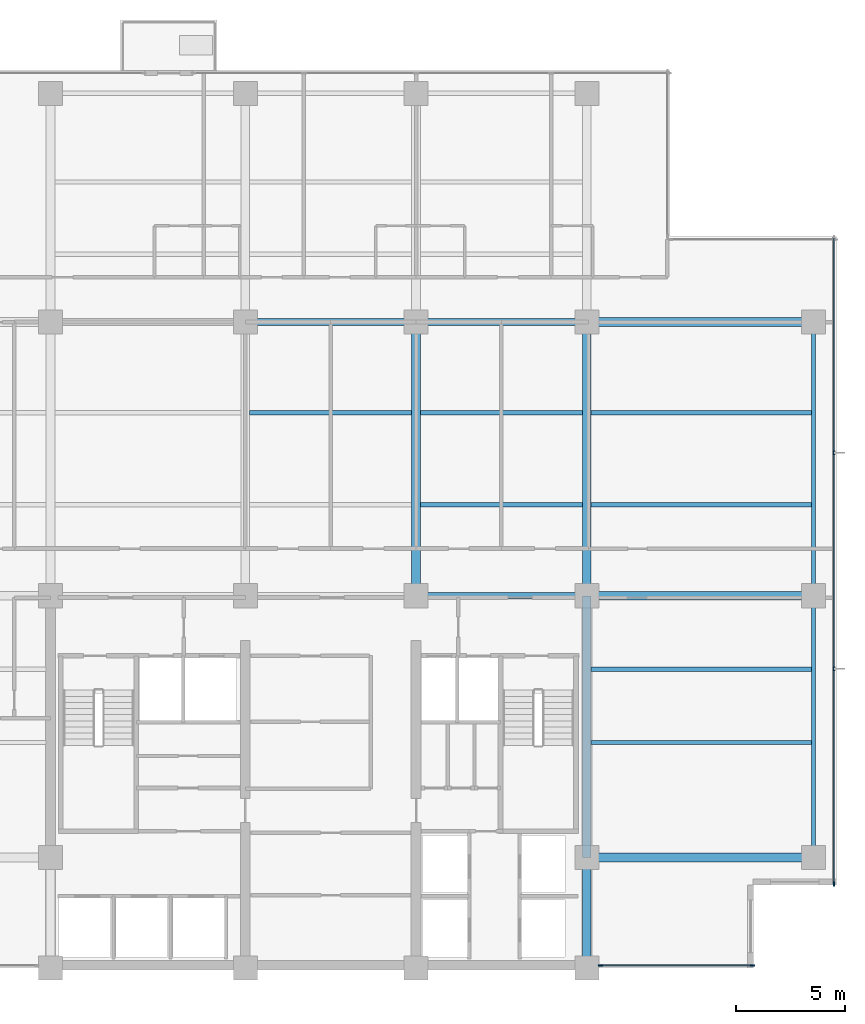
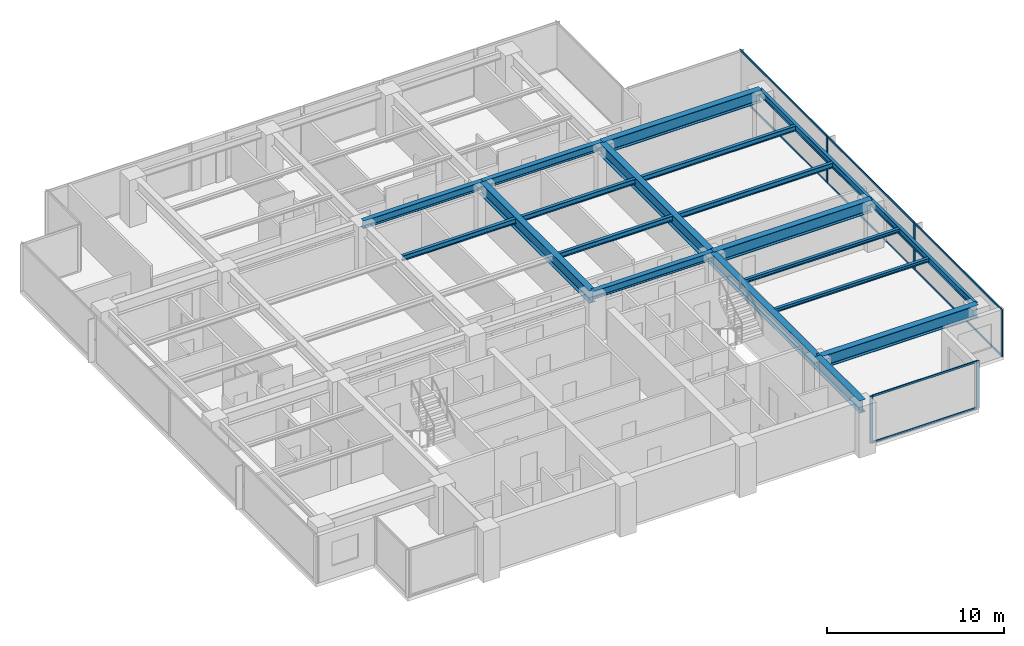
# One storey, part 3 of 14: 19 beams, 13 members, 2 elements without a shape of their own.
"""IFC4 building model written with IfcOpenShell, lengths in metres."""

from ifc_helpers import new_model, si_unit, direction, frame, origin, origin_2d, place, context, subcontext, project, spatial, rectangle, i_section, extrude, material, layer, layer_set, material_profile, profile_set, type_object, element, aggregate, save


model = new_model("IFC4")

# Units and contexts
model_context = context("Model", 3, precision=1e-05, world=origin(), true_north=direction((0.0, 1.0)))
body_context = subcontext(model_context, "Body", "Model", "MODEL_VIEW")
ifc_project = project(units=[si_unit("LENGTHUNIT", "METRE"), si_unit("AREAUNIT", "SQUARE_METRE"), si_unit("VOLUMEUNIT", "CUBIC_METRE"), si_unit("PLANEANGLEUNIT", "RADIAN"), si_unit("MASSUNIT", "GRAM", prefix="KILO")], contexts=[model_context])

# Site, building, storey
site_placement = place(None, origin())
site = spatial("IfcSite", under=ifc_project, at=site_placement, CompositionType="ELEMENT")
building_placement = place(site_placement, origin())
building = spatial("IfcBuilding", under=site, at=building_placement, Name="Qalmaran Belvedere Hotel", CompositionType="ELEMENT")
storey_placement = place(building_placement, frame((0.0, 0.0, 152.60009765625)))
storey = spatial("IfcBuildingStorey", under=building, at=storey_placement, Name="L38", CompositionType="ELEMENT", Elevation=152.60009765625)

# Beams
ifc_material_1 = material(Name="Steel S355JR", Category="steel")
ifc_material_profile_1 = material_profile(ifc_material_1, i_section(OverallWidth=0.201904296875, OverallDepth=0.2470703125, WebThickness=0.00732421875, FlangeThickness=0.010986328125, FilletRadius=0.011962890625, at=origin_2d()), Name="W250X49")
ifc_profile_set_1 = profile_set([ifc_material_profile_1], Name="Steel S355JR")
beam_type_1 = type_object("IfcBeamType", Name="BM-JST-W250X49", PredefinedType="JOIST", material=ifc_profile_set_1)
for number, where, z_axis, x_axis, name in (
    (1, (44.998046875, 13.800048828125, 3.12646484375), (1.0, 0.0, 0.0), (0.0, 1.0, 0.0), "L38 East Wing Joist 039"),
    (2, (44.998046875, 17.14990234375, 3.12646484375), (1.0, 0.0, 0.0), (0.0, 1.0, 0.0), "L38 East Wing Joist 041"),
):
    element("IfcBeam", number, at=place(storey_placement, frame(where, z_axis=z_axis, x_axis=x_axis)), inside=storey, type_object=beam_type_1, Name=name, PredefinedType="JOIST", context=body_context, shape_type="SweptSolid", body=[
        extrude(i_section(OverallWidth=0.201904296875, OverallDepth=0.2470703125, WebThickness=0.00732421875, FlangeThickness=0.010986328125, FilletRadius=0.011962890625, at=origin_2d()), origin(), (0.0, 0.0, 1.0), 10.057861328125),
    ])
ifc_material_profile_2 = material_profile(ifc_material_1, i_section(OverallWidth=0.39990234375, OverallDepth=0.85498046875, WebThickness=0.018310546875, FlangeThickness=0.029296875, FilletRadius=0.02392578125, at=origin_2d()), Name="W840X299")
ifc_profile_set_2 = profile_set([ifc_material_profile_2], Name="Steel S355JR")
beam_type_2 = type_object("IfcBeamType", Name="BM-PG3-W840X299", PredefinedType="USERDEFINED", material=ifc_profile_set_2)
for number, where, z_axis, x_axis, name in (
    (3, (37.0, 20.5, 2.822509765625), (0.0, 1.0, 0.0), (-1.0, 0.0, 0.0), "L38 Mid-Plate N-S Girder 18"),
    (4, (44.800048828125, 20.5, 2.822509765625), (0.0, 1.0, 0.0), (-1.0, 0.0, 0.0), "L38 Mid-Plate N-S Girder 20"),
):
    element("IfcBeam", number, at=place(storey_placement, frame(where, z_axis=z_axis, x_axis=x_axis)), inside=storey, type_object=beam_type_2, Name=name, ObjectType="GIRDER", PredefinedType="USERDEFINED", context=body_context, shape_type="SweptSolid", body=[
        extrude(i_section(OverallWidth=0.39990234375, OverallDepth=0.85498046875, WebThickness=0.018310546875, FlangeThickness=0.029296875, FilletRadius=0.02392578125, at=origin_2d()), origin(), (0.0, 0.0, 1.0), 12.5),
    ])
beam_1_placement = place(storey_placement, frame((44.800048828125, 3.5, 2.822509765625), z_axis=(0.0, 1.0, 0.0), x_axis=(-1.0, 0.0, 0.0)))
element("IfcBeam", 5, at=beam_1_placement, inside=storey, type_object=beam_type_2, Name="L38 East Core Edge Girder A", ObjectType="GIRDER", PredefinedType="USERDEFINED", context=body_context, shape_type="SweptSolid", body=[
    extrude(i_section(OverallWidth=0.39990234375, OverallDepth=0.85498046875, WebThickness=0.018310546875, FlangeThickness=0.029296875, FilletRadius=0.02392578125, at=origin_2d()), origin(), (0.0, 0.0, 1.0), 5.050048828125),
])
beam_2_placement = place(storey_placement, frame((44.800048828125, 8.550048828125, 2.822509765625), z_axis=(0.0, 1.0, 0.0), x_axis=(-1.0, 0.0, 0.0)))
element("IfcBeam", 6, at=beam_2_placement, inside=storey, type_object=beam_type_2, Name="L38 East Core Edge Girder B", ObjectType="GIRDER", PredefinedType="USERDEFINED", context=body_context, shape_type="SweptSolid", body=[
    extrude(i_section(OverallWidth=0.39990234375, OverallDepth=0.85498046875, WebThickness=0.018310546875, FlangeThickness=0.029296875, FilletRadius=0.02392578125, at=origin_2d()), origin(), (0.0, 0.0, 1.0), 11.949951171875),
])
for number, where, z_axis, x_axis, name in (
    (7, (44.800048828125, 8.550048828125, 2.822509765625), (1.0, 0.0, 0.0), (0.0, 1.0, 0.0), "L38 East Wing Girder 25"),
    (8, (44.800048828125, 20.5, 2.822509765625), (1.0, 0.0, 0.0), (0.0, 1.0, 0.0), "L38 East Wing Girder 26"),
    (9, (44.800048828125, 33.0, 2.822509765625), (1.0, 0.0, 0.0), (0.0, 1.0, 0.0), "L38 East Wing Girder 27"),
):
    element("IfcBeam", number, at=place(storey_placement, frame(where, z_axis=z_axis, x_axis=x_axis)), inside=storey, type_object=beam_type_2, Name=name, ObjectType="GIRDER", PredefinedType="USERDEFINED", context=body_context, shape_type="SweptSolid", body=[
        extrude(i_section(OverallWidth=0.39990234375, OverallDepth=0.85498046875, WebThickness=0.018310546875, FlangeThickness=0.029296875, FilletRadius=0.02392578125, at=origin_2d()), origin(), (0.0, 0.0, 1.0), 10.349853515625),
    ])
ifc_material_profile_3 = material_profile(ifc_material_1, i_section(OverallWidth=0.205078125, OverallDepth=0.35400390625, WebThickness=0.009521484375, FlangeThickness=0.016845703125, FilletRadius=0.014892578125, at=origin_2d()), Name="W360X79")
ifc_profile_set_3 = profile_set([ifc_material_profile_3], Name="Steel S355JR")
beam_type_3 = type_object("IfcBeamType", Name="BM-SB3-W360X79", PredefinedType="BEAM", material=ifc_profile_set_3)
beam_3_placement = place(storey_placement, frame((37.197998046875, 24.64990234375, 3.072998046875), z_axis=(1.0, 0.0, 0.0), x_axis=(0.0, 1.0, 0.0)))
element("IfcBeam", 10, at=beam_3_placement, inside=storey, type_object=beam_type_3, Name="L38 Secondary Floor Beam 031", PredefinedType="BEAM", context=body_context, shape_type="SweptSolid", body=[
    extrude(i_section(OverallWidth=0.205078125, OverallDepth=0.35400390625, WebThickness=0.009521484375, FlangeThickness=0.016845703125, FilletRadius=0.014892578125, at=origin_2d()), origin(), (0.0, 0.0, 1.0), 7.404052734375),
])
beam_4_placement = place(storey_placement, frame((44.998046875, 24.64990234375, 3.072998046875), z_axis=(1.0, 0.0, 0.0), x_axis=(0.0, 1.0, 0.0)))
element("IfcBeam", 11, at=beam_4_placement, inside=storey, type_object=beam_type_3, Name="L38 East Secondary Beam 032", PredefinedType="BEAM", context=body_context, shape_type="SweptSolid", body=[
    extrude(i_section(OverallWidth=0.205078125, OverallDepth=0.35400390625, WebThickness=0.009521484375, FlangeThickness=0.016845703125, FilletRadius=0.014892578125, at=origin_2d()), origin(), (0.0, 0.0, 1.0), 10.057861328125),
])
for number, where, z_axis, x_axis, name in (
    (12, (29.39794921875, 28.85009765625, 3.072998046875), (1.0, 0.0, 0.0), (0.0, 1.0, 0.0), "L38 Secondary Floor Beam 035"),
    (13, (37.197998046875, 28.85009765625, 3.072998046875), (1.0, 0.0, 0.0), (0.0, 1.0, 0.0), "L38 Secondary Floor Beam 036"),
):
    element("IfcBeam", number, at=place(storey_placement, frame(where, z_axis=z_axis, x_axis=x_axis)), inside=storey, type_object=beam_type_3, Name=name, PredefinedType="BEAM", context=body_context, shape_type="SweptSolid", body=[
        extrude(i_section(OverallWidth=0.205078125, OverallDepth=0.35400390625, WebThickness=0.009521484375, FlangeThickness=0.016845703125, FilletRadius=0.014892578125, at=origin_2d()), origin(), (0.0, 0.0, 1.0), 7.404052734375),
    ])
beam_5_placement = place(storey_placement, frame((44.998046875, 28.85009765625, 3.072998046875), z_axis=(1.0, 0.0, 0.0), x_axis=(0.0, 1.0, 0.0)))
element("IfcBeam", 14, at=beam_5_placement, inside=storey, type_object=beam_type_3, Name="L38 East Secondary Beam 037", PredefinedType="BEAM", context=body_context, shape_type="SweptSolid", body=[
    extrude(i_section(OverallWidth=0.205078125, OverallDepth=0.35400390625, WebThickness=0.009521484375, FlangeThickness=0.016845703125, FilletRadius=0.014892578125, at=origin_2d()), origin(), (0.0, 0.0, 1.0), 10.057861328125),
])
ifc_material_profile_4 = material_profile(ifc_material_1, i_section(OverallWidth=0.19189453125, OverallDepth=0.462890625, WebThickness=0.010498046875, FlangeThickness=0.017578125, FilletRadius=0.01611328125, at=origin_2d()), Name="W460X89")
ifc_profile_set_4 = profile_set([ifc_material_profile_4], Name="Steel S355JR")
beam_type_4 = type_object("IfcBeamType", Name="BM-SP2-W460X89", PredefinedType="SPANDREL", material=ifc_profile_set_4)
beam_6_placement = place(storey_placement, frame((55.14990234375, 8.550048828125, 3.018310546875), z_axis=(0.0, 1.0, 0.0), x_axis=(-1.0, 0.0, 0.0)))
element("IfcBeam", 15, at=beam_6_placement, inside=storey, type_object=beam_type_4, Name="L38 Perimeter Spandrel 03", PredefinedType="SPANDREL", context=body_context, shape_type="SweptSolid", body=[
    extrude(i_section(OverallWidth=0.19189453125, OverallDepth=0.462890625, WebThickness=0.010498046875, FlangeThickness=0.017578125, FilletRadius=0.01611328125, at=origin_2d()), origin(), (0.0, 0.0, 1.0), 11.949951171875),
])
beam_7_placement = place(storey_placement, frame((55.14990234375, 20.5, 3.018310546875), z_axis=(0.0, 1.0, 0.0), x_axis=(-1.0, 0.0, 0.0)))
element("IfcBeam", 16, at=beam_7_placement, inside=storey, type_object=beam_type_4, Name="L38 Perimeter Spandrel 04", PredefinedType="SPANDREL", context=body_context, shape_type="SweptSolid", body=[
    extrude(i_section(OverallWidth=0.19189453125, OverallDepth=0.462890625, WebThickness=0.010498046875, FlangeThickness=0.017578125, FilletRadius=0.01611328125, at=origin_2d()), origin(), (0.0, 0.0, 1.0), 12.5),
])
ifc_material_profile_5 = material_profile(ifc_material_1, i_section(OverallWidth=0.31201171875, OverallDepth=0.54296875, WebThickness=0.0126953125, FlangeThickness=0.020263671875, FilletRadius=0.01806640625, at=origin_2d()), Name="W530X150")
ifc_profile_set_5 = profile_set([ifc_material_profile_5], Name="Steel S355JR")
beam_type_5 = type_object("IfcBeamType", Name="BM-Z3-W530X150", PredefinedType="USERDEFINED", material=ifc_profile_set_5)
for number, where, z_axis, x_axis, name in (
    (17, (37.0, 20.5, 2.978515625), (1.0, 0.0, 0.0), (0.0, 1.0, 0.0), "L38 Interior E-W Girder 10"),
    (18, (29.199951171875, 33.0, 2.978515625), (1.0, 0.0, 0.0), (0.0, 1.0, 0.0), "L38 Interior E-W Girder 12"),
    (19, (37.0, 33.0, 2.978515625), (1.0, 0.0, 0.0), (0.0, 1.0, 0.0), "L38 Interior E-W Girder 13"),
):
    element("IfcBeam", number, at=place(storey_placement, frame(where, z_axis=z_axis, x_axis=x_axis)), inside=storey, type_object=beam_type_5, Name=name, ObjectType="GIRDER", PredefinedType="USERDEFINED", context=body_context, shape_type="SweptSolid", body=[
        extrude(i_section(OverallWidth=0.31201171875, OverallDepth=0.54296875, WebThickness=0.0126953125, FlangeThickness=0.020263671875, FilletRadius=0.01806640625, at=origin_2d()), origin(), (0.0, 0.0, 1.0), 7.800048828125),
    ])

# Curtain wall, members
ifc_material_2 = material(Name="Anodised Bronze Aluminium", Category="aluminium")
ifc_layer = layer(ifc_material_2, 0.195068359375, Name="Anodised Bronze Aluminium")
ifc_layer_set = layer_set([ifc_layer], Name="Anodised Bronze Aluminium")
curtain_wall_type = type_object("IfcCurtainWallType", Name="CW4-TOWER-HIGHMID", PredefinedType="NOTDEFINED", material=ifc_layer_set)
curtain_wall_1_placement = place(storey_placement, origin())
curtain_wall_1 = element("IfcCurtainWall", 20, at=curtain_wall_1_placement, inside=storey, type_object=curtain_wall_type, Name="L38 Curtain Wall CW4", PredefinedType="NOTDEFINED")
ifc_material_profile_6 = material_profile(ifc_material_2, rectangle(XDim=0.070068359375, YDim=0.18994140625, at=origin_2d()), Name="CWM70X190")
ifc_profile_set_6 = profile_set([ifc_material_profile_6], Name="Anodised Bronze Aluminium")
member_type_1 = type_object("IfcMemberType", Name="CWM-70X190", PredefinedType="MULLION", material=ifc_profile_set_6)
member_1_placement = place(storey_placement, frame((45.425048828125, 3.6201171875, 0.0), z_axis=(0.0, 0.0, 1.0), x_axis=(0.0, 1.0, 0.0)))
member_1 = element("IfcMember", 21, at=member_1_placement, type_object=member_type_1, Name="CW4 mullion 1", PredefinedType="MULLION", context=body_context, shape_type="SweptSolid", body=[
    extrude(rectangle(XDim=0.070068359375, YDim=0.18994140625, at=origin_2d()), origin(), (0.0, 0.0, 1.0), 3.25),
])
member_2_placement = place(storey_placement, frame((52.364990234375, 3.6201171875, 0.0), z_axis=(0.0, 0.0, 1.0), x_axis=(0.0, 1.0, 0.0)))
member_2 = element("IfcMember", 22, at=member_2_placement, type_object=member_type_1, Name="CW4 mullion 2", PredefinedType="MULLION", context=body_context, shape_type="SweptSolid", body=[
    extrude(rectangle(XDim=0.070068359375, YDim=0.18994140625, at=origin_2d()), origin(), (0.0, 0.0, 1.0), 3.25),
])

curtain_wall_2_placement = place(storey_placement, origin())
curtain_wall_2 = element("IfcCurtainWall", 23, at=curtain_wall_2_placement, inside=storey, type_object=curtain_wall_type, Name="L38 Curtain Wall CW4", PredefinedType="NOTDEFINED")
member_3_placement = place(storey_placement, frame((56.080078125, 7.3349609375, 0.0), z_axis=(0.0, 0.0, 1.0), x_axis=(-1.0, 0.0, 0.0)))
member_3 = element("IfcMember", 24, at=member_3_placement, type_object=member_type_1, Name="CW4 mullion 1", PredefinedType="MULLION", context=body_context, shape_type="SweptSolid", body=[
    extrude(rectangle(XDim=0.070068359375, YDim=0.18994140625, at=origin_2d()), origin(), (0.0, 0.0, 1.0), 3.25),
])
member_4_placement = place(storey_placement, frame((56.080078125, 17.166748046875, 0.0), z_axis=(0.0, 0.0, 1.0), x_axis=(-1.0, 0.0, 0.0)))
member_4 = element("IfcMember", 25, at=member_4_placement, type_object=member_type_1, Name="CW4 mullion 2", PredefinedType="MULLION", context=body_context, shape_type="SweptSolid", body=[
    extrude(rectangle(XDim=0.070068359375, YDim=0.18994140625, at=origin_2d()), origin(), (0.0, 0.0, 1.0), 3.25),
])
member_5_placement = place(storey_placement, frame((56.080078125, 27.033447265625, 0.0), z_axis=(0.0, 0.0, 1.0), x_axis=(-1.0, 0.0, 0.0)))
member_5 = element("IfcMember", 26, at=member_5_placement, type_object=member_type_1, Name="CW4 mullion 3", PredefinedType="MULLION", context=body_context, shape_type="SweptSolid", body=[
    extrude(rectangle(XDim=0.070068359375, YDim=0.18994140625, at=origin_2d()), origin(), (0.0, 0.0, 1.0), 3.25),
])

# Member
ifc_material_profile_7 = material_profile(ifc_material_2, rectangle(XDim=0.06494140625, YDim=0.1298828125, at=origin_2d()), Name="CWT65X130")
ifc_profile_set_7 = profile_set([ifc_material_profile_7], Name="Anodised Bronze Aluminium")
member_type_2 = type_object("IfcMemberType", Name="CWT-65X130", PredefinedType="USERDEFINED", material=ifc_profile_set_7)
member_6_placement = place(storey_placement, frame((45.4599609375, 3.6201171875, 0.032470703125), z_axis=(1.0, 0.0, 0.0), x_axis=(0.0, 1.0, 0.0)))
member_6 = element("IfcMember", 27, at=member_6_placement, type_object=member_type_2, Name="CW4 transom 1.1", ObjectType="TRANSOM", PredefinedType="USERDEFINED", context=body_context, shape_type="SweptSolid", body=[
    extrude(rectangle(XDim=0.06494140625, YDim=0.1298828125, at=origin_2d()), origin(), (0.0, 0.0, 1.0), 6.8701171875),
])

member_7_placement = place(storey_placement, frame((45.4599609375, 3.6201171875, 3.21728515625), z_axis=(1.0, 0.0, 0.0), x_axis=(0.0, 1.0, 0.0)))
member_7 = element("IfcMember", 28, at=member_7_placement, type_object=member_type_2, Name="CW4 transom 1.2", ObjectType="TRANSOM", PredefinedType="USERDEFINED", context=body_context, shape_type="SweptSolid", body=[
    extrude(rectangle(XDim=0.06494140625, YDim=0.1298828125, at=origin_2d()), origin(), (0.0, 0.0, 1.0), 6.8701171875),
])

aggregate(curtain_wall_1, [member_1, member_2, member_6, member_7])

member_8_placement = place(storey_placement, frame((56.080078125, 7.3701171875, 0.032470703125), z_axis=(0.0, 1.0, 0.0), x_axis=(-1.0, 0.0, 0.0)))
member_8 = element("IfcMember", 29, at=member_8_placement, type_object=member_type_2, Name="CW4 transom 1.1", ObjectType="TRANSOM", PredefinedType="USERDEFINED", context=body_context, shape_type="SweptSolid", body=[
    extrude(rectangle(XDim=0.06494140625, YDim=0.1298828125, at=origin_2d()), origin(), (0.0, 0.0, 1.0), 9.761474609375),
])

member_9_placement = place(storey_placement, frame((56.080078125, 7.3701171875, 3.21728515625), z_axis=(0.0, 1.0, 0.0), x_axis=(-1.0, 0.0, 0.0)))
member_9 = element("IfcMember", 30, at=member_9_placement, type_object=member_type_2, Name="CW4 transom 1.2", ObjectType="TRANSOM", PredefinedType="USERDEFINED", context=body_context, shape_type="SweptSolid", body=[
    extrude(rectangle(XDim=0.06494140625, YDim=0.1298828125, at=origin_2d()), origin(), (0.0, 0.0, 1.0), 9.761474609375),
])

member_10_placement = place(storey_placement, frame((56.080078125, 17.20166015625, 0.032470703125), z_axis=(0.0, 1.0, 0.0), x_axis=(-1.0, 0.0, 0.0)))
member_10 = element("IfcMember", 31, at=member_10_placement, type_object=member_type_2, Name="CW4 transom 2.1", ObjectType="TRANSOM", PredefinedType="USERDEFINED", context=body_context, shape_type="SweptSolid", body=[
    extrude(rectangle(XDim=0.06494140625, YDim=0.1298828125, at=origin_2d()), origin(), (0.0, 0.0, 1.0), 9.796630859375),
])

member_11_placement = place(storey_placement, frame((56.080078125, 17.20166015625, 3.21728515625), z_axis=(0.0, 1.0, 0.0), x_axis=(-1.0, 0.0, 0.0)))
member_11 = element("IfcMember", 32, at=member_11_placement, type_object=member_type_2, Name="CW4 transom 2.2", ObjectType="TRANSOM", PredefinedType="USERDEFINED", context=body_context, shape_type="SweptSolid", body=[
    extrude(rectangle(XDim=0.06494140625, YDim=0.1298828125, at=origin_2d()), origin(), (0.0, 0.0, 1.0), 9.796630859375),
])

member_12_placement = place(storey_placement, frame((56.080078125, 27.068359375, 0.032470703125), z_axis=(0.0, 1.0, 0.0), x_axis=(-1.0, 0.0, 0.0)))
member_12 = element("IfcMember", 33, at=member_12_placement, type_object=member_type_2, Name="CW4 transom 3.1", ObjectType="TRANSOM", PredefinedType="USERDEFINED", context=body_context, shape_type="SweptSolid", body=[
    extrude(rectangle(XDim=0.06494140625, YDim=0.1298828125, at=origin_2d()), origin(), (0.0, 0.0, 1.0), 9.76171875),
])

member_13_placement = place(storey_placement, frame((56.080078125, 27.068359375, 3.21728515625), z_axis=(0.0, 1.0, 0.0), x_axis=(-1.0, 0.0, 0.0)))
member_13 = element("IfcMember", 34, at=member_13_placement, type_object=member_type_2, Name="CW4 transom 3.2", ObjectType="TRANSOM", PredefinedType="USERDEFINED", context=body_context, shape_type="SweptSolid", body=[
    extrude(rectangle(XDim=0.06494140625, YDim=0.1298828125, at=origin_2d()), origin(), (0.0, 0.0, 1.0), 9.76171875),
])

aggregate(curtain_wall_2, [member_3, member_4, member_5, member_8, member_9, member_10, member_11, member_12, member_13])

save(model, "model.ifc")
